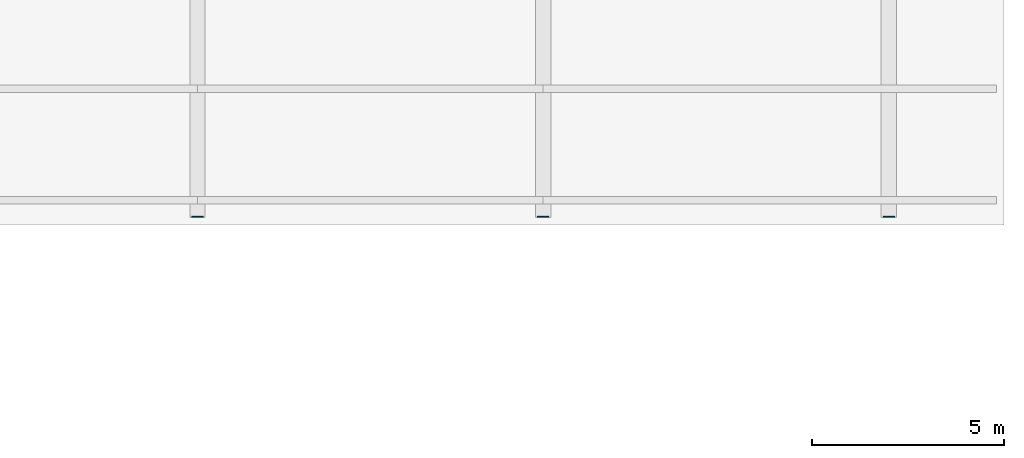
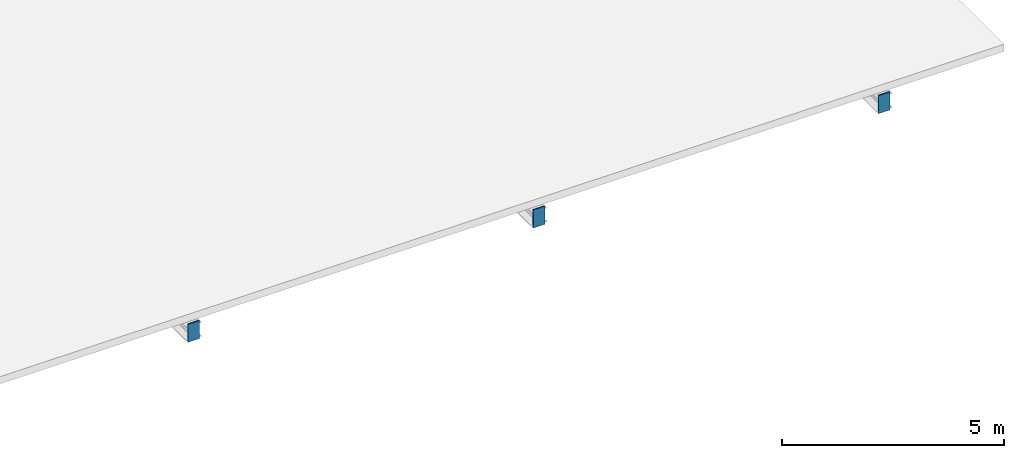
# One storey, part 25 of 32: 3 discrete accessories.
"""IFC4 building model written with IfcOpenShell, lengths in metres."""

from ifc_helpers import new_model, si_unit, direction, frame, origin, origin_2d, place, context, subcontext, project, spatial, rectangle, extrude, material, layer, layer_set, type_object, element, save


model = new_model("IFC4")

# Units and contexts
model_context = context("Model", 3, precision=1e-05, world=origin(), true_north=direction((0.0, 1.0)))
body_context = subcontext(model_context, "Body", "Model", "MODEL_VIEW")
ifc_project = project(units=[si_unit("LENGTHUNIT", "METRE"), si_unit("AREAUNIT", "SQUARE_METRE"), si_unit("VOLUMEUNIT", "CUBIC_METRE"), si_unit("PLANEANGLEUNIT", "RADIAN"), si_unit("MASSUNIT", "GRAM", prefix="KILO")], contexts=[model_context])

# Site, building, storey
site_placement = place(None, origin())
site = spatial("IfcSite", under=ifc_project, at=site_placement, CompositionType="ELEMENT")
building_placement = place(site_placement, origin())
building = spatial("IfcBuilding", under=site, at=building_placement, Name="Hunhe Ridgeline Campus", CompositionType="ELEMENT")
storey_placement = place(building_placement, frame((0.0, 0.0, 26.39990234375)))
storey = spatial("IfcBuildingStorey", under=building, at=storey_placement, Name="L05", CompositionType="ELEMENT", Elevation=26.39990234375)

# Discrete accessories
ifc_material = material(Name="Steel Q355", Category="steel")
ifc_layer = layer(ifc_material, 0.030029296875)
ifc_layer_set = layer_set([ifc_layer], Name="Cast-in plate 300x500x30 Steel Q355")
discrete_accessory_type = type_object("IfcDiscreteAccessoryType", Name="Cast-in plate 300x500x30 Steel Q355", PredefinedType="BRACKET", material=ifc_layer_set)
for number, where, z_axis, x_axis, name in (
    (1, (189.0, 22.715087890625, 0.14013671875), (0.0, 0.0, 1.0), (0.0, 1.0, 0.0), "Roof truss 5 cast-in plate s top"),
    (2, (198.0, 22.715087890625, 0.14013671875), (0.0, 0.0, 1.0), (0.0, 1.0, 0.0), "Roof truss 6 cast-in plate s top"),
    (3, (207.0, 22.715087890625, 0.14013671875), (0.0, 0.0, 1.0), (0.0, 1.0, 0.0), "Roof truss 7 cast-in plate s top"),
):
    element("IfcDiscreteAccessory", number, at=place(storey_placement, frame(where, z_axis=z_axis, x_axis=x_axis)), inside=storey, type_object=discrete_accessory_type, Name=name, PredefinedType="BRACKET", context=body_context, shape_type="SweptSolid", body=[
        extrude(rectangle(XDim=0.030029296875, YDim=0.300048828125, at=origin_2d()), origin(), (0.0, 0.0, 1.0), 0.5),
    ])

save(model, "model.ifc")
